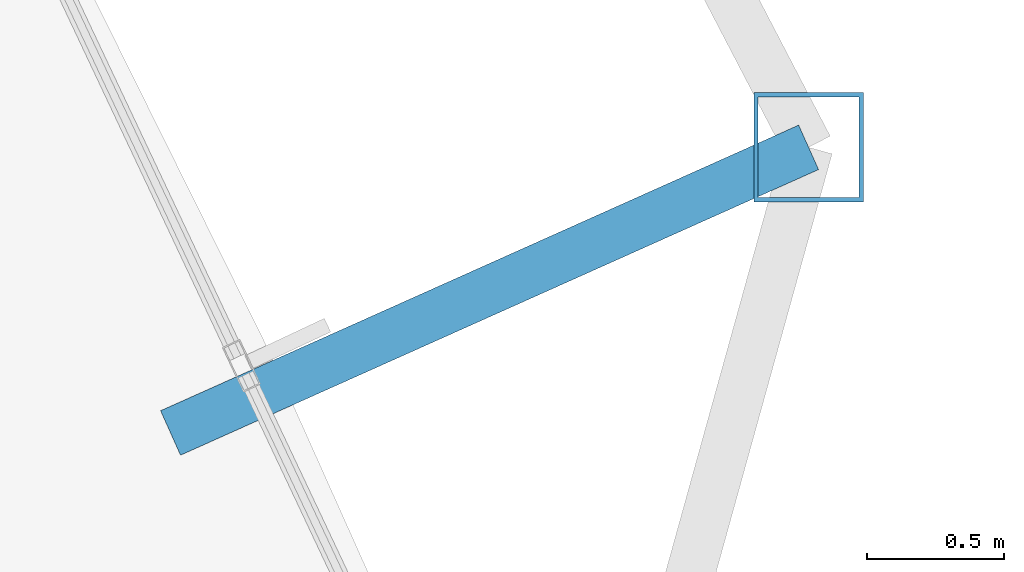
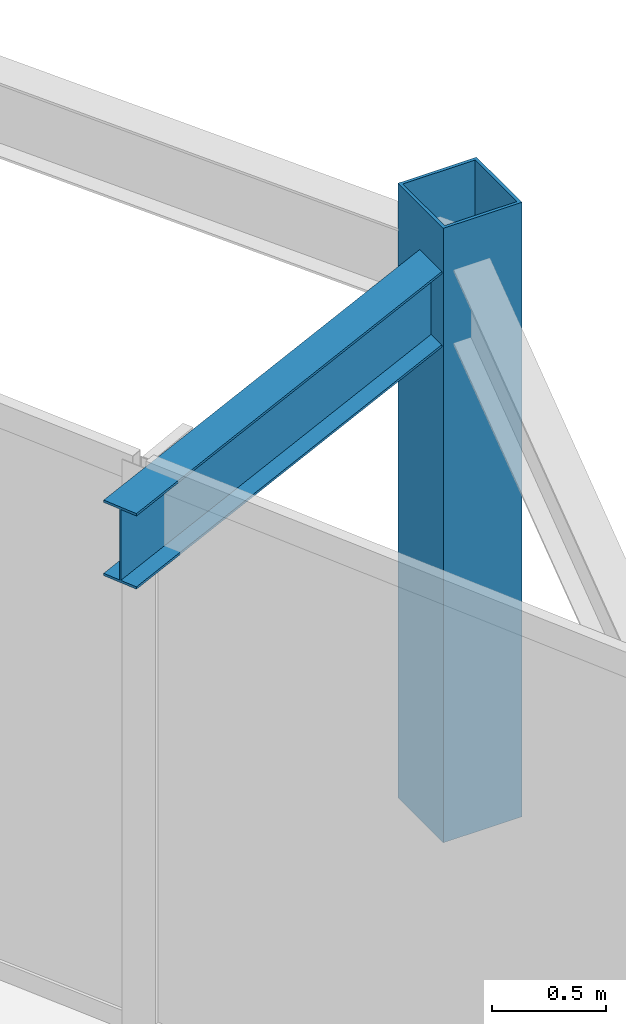
# One storey, part 19 of 33: 1 beam, 1 member.
"""IFC4 building model written with IfcOpenShell, lengths in metres."""

import ifcopenshell
import ifcopenshell.guid

model = None  # the IFC model being written
_history = None  # IfcOwnerHistory: only IFC2X3 demands one
_inside = {}  # id of a spatial element -> (the spatial element, [elements in it])
_under = {}  # id of a project, library or spatial element -> (it, [spatial elements below it])
_declared = {}  # id of a project -> (the project, [libraries it declares])
_typed = {}  # id of a type object -> (the type object, [elements of that type])
_made_of = {}  # id of a material, layer set ... -> (it, [elements and type objects made of it])


def new_model(schema):
    """Start an empty IFC model of exactly this schema.

    Asked for "IFC4X3", IfcOpenShell would pick the latest addendum, in which some entities
    have other attributes; the version numbers below select the first issue.
    IFC2X3 requires an IfcOwnerHistory on every rooted entity: one is made here for all.
    """
    global model, _history
    if schema == "IFC4X3":
        model = ifcopenshell.file(schema_version=(4, 3, 0, 0))
    else:
        model = ifcopenshell.file(schema=schema)
    _inside.clear()
    _under.clear()
    _declared.clear()
    _typed.clear()
    _made_of.clear()
    _history = None
    if model.schema == "IFC2X3":
        org = make("IfcOrganization", Name="unknown")
        user = make(
            "IfcPersonAndOrganization",
            ThePerson=make("IfcPerson", FamilyName="unknown"),
            TheOrganization=org,
        )
        app = make(
            "IfcApplication",
            ApplicationDeveloper=org,
            Version="unknown",
            ApplicationFullName="unknown",
            ApplicationIdentifier="unknown",
        )
        _history = make(
            "IfcOwnerHistory",
            OwningUser=user,
            OwningApplication=app,
            ChangeAction="ADDED",
            CreationDate=0,
        )
    return model


def make(cls, **values):
    """One entity of the class cls with the attributes given. An attribute that is None is left unset."""
    return model.create_entity(
        cls, **{name: value for name, value in values.items() if value is not None}
    )


def rooted(cls, **values):
    """An entity with a GlobalId (a new one), such as an element, a storey or a relation."""
    return make(cls, GlobalId=ifcopenshell.guid.new(), OwnerHistory=_history, **values)


def si_unit(unit_type, name, prefix=None):
    """IfcSIUnit, for example si_unit("LENGTHUNIT", "METRE", prefix="MILLI")."""
    return make("IfcSIUnit", UnitType=unit_type, Prefix=prefix, Name=name)


def assignment(units):
    """IfcUnitAssignment: the units of a project."""
    return None if units is None else make("IfcUnitAssignment", Units=units)


def point(xyz):
    """IfcCartesianPoint."""
    return None if xyz is None else make("IfcCartesianPoint", Coordinates=xyz)


def direction(xyz):
    """IfcDirection."""
    return None if xyz is None else make("IfcDirection", DirectionRatios=xyz)


def frame(location, z_axis=None, x_axis=None):
    """IfcAxis2Placement3D, a coordinate frame: its origin and axes. An axis left out is left unset."""
    return make(
        "IfcAxis2Placement3D",
        Location=point(location),
        Axis=direction(z_axis),
        RefDirection=direction(x_axis),
    )


def frame_2d(location, x_axis=None):
    """IfcAxis2Placement2D, a coordinate frame in the plane: its origin and x axis."""
    return make(
        "IfcAxis2Placement2D", Location=point(location), RefDirection=direction(x_axis)
    )


def origin():
    """The frame at (0, 0, 0) with its axes left unset."""
    return frame((0.0, 0.0, 0.0))


def origin_2d():
    """The frame at (0, 0) in the plane with its x axis left unset."""
    return frame_2d((0.0, 0.0))


def place(relative_to, where):
    """IfcLocalPlacement: puts the frame where relative to a parent placement (None: the world)."""
    return make(
        "IfcLocalPlacement", PlacementRelTo=relative_to, RelativePlacement=where
    )


def context(
    kind, dimensions, precision=None, world=None, true_north=None, identifier=None
):
    """IfcGeometricRepresentationContext, for example the 3D "Model" context."""
    return make(
        "IfcGeometricRepresentationContext",
        ContextIdentifier=identifier,
        ContextType=kind,
        CoordinateSpaceDimension=dimensions,
        Precision=precision,
        WorldCoordinateSystem=world,
        TrueNorth=true_north,
    )


def subcontext(parent, identifier, kind, view, scale=None):
    """IfcGeometricRepresentationSubContext, for example "Body" below "Model"."""
    return make(
        "IfcGeometricRepresentationSubContext",
        ContextIdentifier=identifier,
        ContextType=kind,
        ParentContext=parent,
        TargetScale=scale,
        TargetView=view,
    )


def project(units=None, contexts=None):
    """IfcProject with its units and contexts."""
    return rooted(
        "IfcProject",
        Name="project",
        RepresentationContexts=contexts,
        UnitsInContext=assignment(units),
    )


def spatial(cls, under=None, at=None, **own):
    """A site, building, storey or space (cls), placed at a placement, below another one or the project."""
    s = rooted(cls, ObjectPlacement=at, **own)
    if under is not None:
        _under.setdefault(under.id(), (under, []))[1].append(s)
    return s


def profile(cls, at=None, kind="AREA", **sizes):
    """A parametric profile (cls). Its sizes go by their IFC names, for example OverallWidth=200.0."""
    return make(cls, ProfileType=kind, Position=at, **sizes)


def hollow_rectangle(**sizes):
    """IfcRectangleHollowProfileDef."""
    return profile("IfcRectangleHollowProfileDef", **sizes)


def i_section(**sizes):
    """IfcIShapeProfileDef."""
    return profile("IfcIShapeProfileDef", **sizes)


def extrude(swept, where, along, depth):
    """IfcExtrudedAreaSolid: the profile swept, set in the frame where, extruded along a direction by depth."""
    return make(
        "IfcExtrudedAreaSolid",
        SweptArea=swept,
        Position=where,
        ExtrudedDirection=direction(along),
        Depth=depth,
    )


def shape(context_of_items, identifier, shape_type, items):
    """IfcShapeRepresentation: the items that make up one representation, for example the "Body"."""
    return make(
        "IfcShapeRepresentation",
        ContextOfItems=context_of_items,
        RepresentationIdentifier=identifier,
        RepresentationType=shape_type,
        Items=items,
    )


def material(Name=None, Category=None):
    """IfcMaterial."""
    return make("IfcMaterial", Name=Name, Category=Category)


def material_profile(
    of_material, cross_section, Name=None, Category=None, Priority=None
):
    """IfcMaterialProfile: a cross section and its material."""
    return make(
        "IfcMaterialProfile",
        Name=Name,
        Material=of_material,
        Profile=cross_section,
        Priority=Priority,
        Category=Category,
    )


def profile_set(profiles, Name=None, composite=None):
    """IfcMaterialProfileSet."""
    return make(
        "IfcMaterialProfileSet",
        Name=Name,
        MaterialProfiles=profiles,
        CompositeProfile=composite,
    )


def made_of(thing, what):
    """Note that an element or type object is made of a material, layer set ...; save() writes the relation."""
    if what is not None:
        _made_of.setdefault(what.id(), (what, []))[1].append(thing)
    return thing


def type_object(cls, material=None, **own):
    """A type object (cls), such as IfcWallType, which elements share."""
    return made_of(rooted(cls, **own), material)


def element(
    cls,
    number,
    at=None,
    inside=None,
    cuts=None,
    type_object=None,
    material=None,
    context=None,
    identifier="Body",
    shape_type=None,
    held_by="IfcProductDefinitionShape",
    body=None,
    shapes=None,
    **own,
):
    """One element of the class cls, such as IfcWall. Its Tag is "e" and its number.

    at: its placement. inside: the storey or other place that contains it. cuts: it is an
    opening in that element (IfcRelVoidsElement). A single representation is given by context,
    identifier, shape_type and body (its items); several are given by shapes. held_by: the class
    of the entity that holds the representations. save() writes the other relations.
    """
    e = rooted(cls, Tag="e%d" % number, ObjectPlacement=at, **own)
    if body is not None:
        shapes = [shape(context, identifier, shape_type, body)]
    if shapes is not None:
        e.Representation = make(held_by, Representations=shapes)
    if inside is not None:
        _inside.setdefault(inside.id(), (inside, []))[1].append(e)
    if cuts is not None:
        rooted(
            "IfcRelVoidsElement", RelatingBuildingElement=cuts, RelatedOpeningElement=e
        )
    if type_object is not None:
        _typed.setdefault(type_object.id(), (type_object, []))[1].append(e)
    return made_of(e, material)


def aggregate(whole, parts):
    """IfcRelAggregates: a whole, such as a stair, and the parts it consists of."""
    return rooted("IfcRelAggregates", RelatingObject=whole, RelatedObjects=parts)


def save(model, path):
    """Write the relations noted so far, then the file.

    IfcRelAggregates (storeys below a building ...), IfcRelContainedInSpatialStructure (elements
    in a storey), IfcRelDefinesByType, IfcRelAssociatesMaterial and IfcRelDeclares: one each for
    every whole, place, type object, material and project.
    """
    for whole, parts in _under.values():
        aggregate(whole, parts)
    for where, things in _inside.values():
        rooted(
            "IfcRelContainedInSpatialStructure",
            RelatedElements=things,
            RelatingStructure=where,
        )
    for kind, things in _typed.values():
        rooted("IfcRelDefinesByType", RelatedObjects=things, RelatingType=kind)
    for what, things in _made_of.values():
        rooted("IfcRelAssociatesMaterial", RelatedObjects=things, RelatingMaterial=what)
    for by, libraries in _declared.values():
        rooted("IfcRelDeclares", RelatingContext=by, RelatedDefinitions=libraries)
    model.write(path)


model = new_model("IFC4")

# Units and contexts
model_context = context("Model", 3, precision=1e-05, world=origin(), true_north=direction((0.0, 1.0)))
body_context = subcontext(model_context, "Body", "Model", "MODEL_VIEW")
ifc_project = project(units=[si_unit("LENGTHUNIT", "METRE"), si_unit("AREAUNIT", "SQUARE_METRE"), si_unit("VOLUMEUNIT", "CUBIC_METRE"), si_unit("PLANEANGLEUNIT", "RADIAN"), si_unit("MASSUNIT", "GRAM", prefix="KILO")], contexts=[model_context])

# Site, building, storey
site_placement = place(None, origin())
site = spatial("IfcSite", under=ifc_project, at=site_placement, CompositionType="ELEMENT")
building_placement = place(site_placement, origin())
building = spatial("IfcBuilding", under=site, at=building_placement, Name="Orvanel Arch Residences", CompositionType="ELEMENT")
storey_placement = place(building_placement, frame((0.0, 0.0, 116.60009765625)))
storey = spatial("IfcBuildingStorey", under=building, at=storey_placement, Name="L32", CompositionType="ELEMENT", Elevation=116.60009765625)

# Beam
ifc_material_1 = material(Name="Structural steel AS/NZS 3679.1 Grade 300 (300 MPa)", Category="steel")
ifc_material_profile_1 = material_profile(ifc_material_1, i_section(OverallWidth=0.177978515625, OverallDepth=0.406005859375, WebThickness=0.0078125, FlangeThickness=0.0126953125, at=origin_2d()), Name="410UB59.7")
ifc_profile_set_1 = profile_set([ifc_material_profile_1], Name="Structural steel AS/NZS 3679.1 Grade 300 (300 MPa)")
beam_type = type_object("IfcBeamType", Name="OB-410UB-EXT", PredefinedType="SPANDREL", material=ifc_profile_set_1)
beam_placement = place(storey_placement, frame((53.987060546875, 19.139892578125, 2.85693359375), z_axis=(0.912734660122, 0.408552860976, 0.0), x_axis=(-0.408552860976, 0.912734660122, 0.0)))
element("IfcBeam", 1, at=beam_placement, inside=storey, type_object=beam_type, Name="L32 Outer Frame Radial Tie Beam 09", PredefinedType="SPANDREL", context=body_context, shape_type="SweptSolid", body=[
    extrude(i_section(OverallWidth=0.177978515625, OverallDepth=0.406005859375, WebThickness=0.0078125, FlangeThickness=0.0126953125, at=origin_2d()), origin(), (0.0, 0.0, 1.0), 2.550537109375),
])

# Member
ifc_material_2 = material(Name="Structural steel AS/NZS 1163 C450L0 (Grade 450)", Category="steel")
ifc_material_profile_2 = material_profile(ifc_material_2, hollow_rectangle(XDim=0.39990234375, YDim=0.39990234375, WallThickness=0.01611328125, at=origin_2d()), Name="SHS400x400x16")
ifc_profile_set_2 = profile_set([ifc_material_profile_2], Name="Structural steel AS/NZS 1163 C450L0 (Grade 450)")
member_type = type_object("IfcMemberType", Name="ST-400SHS-EXT", PredefinedType="STRUT", material=ifc_profile_set_2)
member_placement = place(storey_placement, frame((56.31494140625, 20.181884765625, 0.0), z_axis=(0.0, 0.0, 1.0), x_axis=(1.0, 0.0, 0.0)))
element("IfcMember", 2, at=member_placement, inside=storey, type_object=member_type, Name="L32 Outer Perimeter Frame Post 09", PredefinedType="STRUT", context=body_context, shape_type="SweptSolid", body=[
    extrude(hollow_rectangle(XDim=0.39990234375, YDim=0.39990234375, WallThickness=0.01611328125, at=origin_2d()), origin(), (0.0, 0.0, 1.0), 3.2998046875),
])

save(model, "model.ifc")
